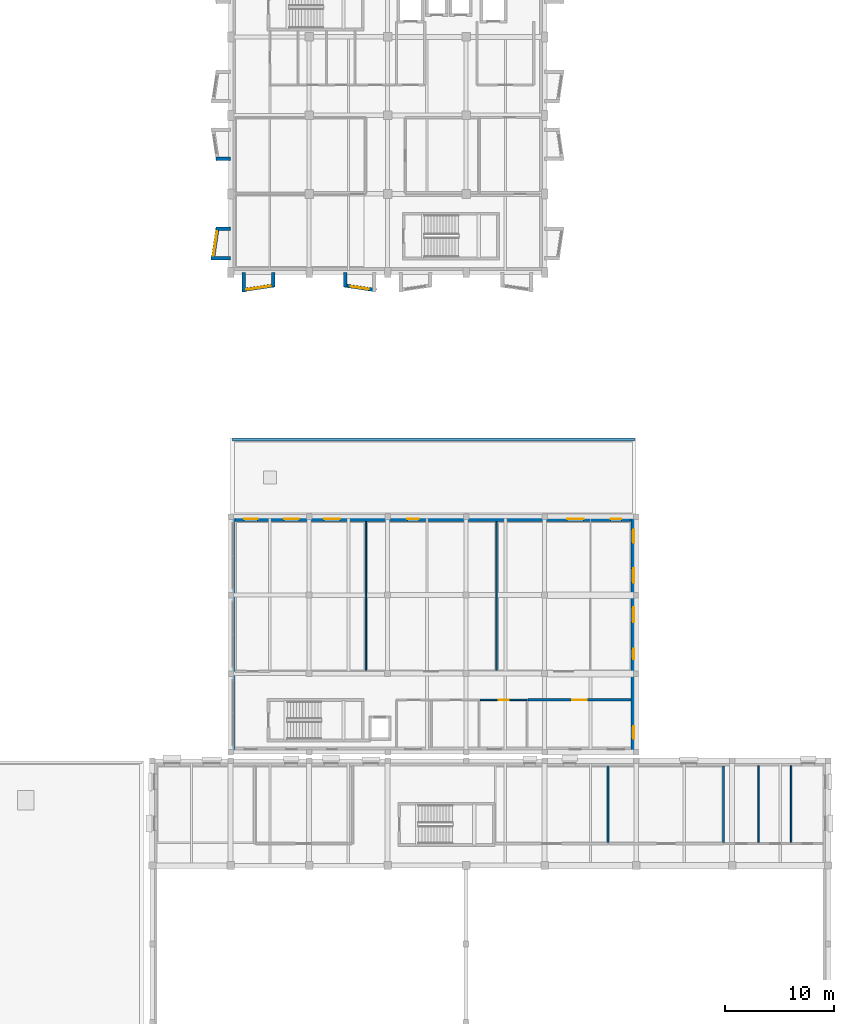
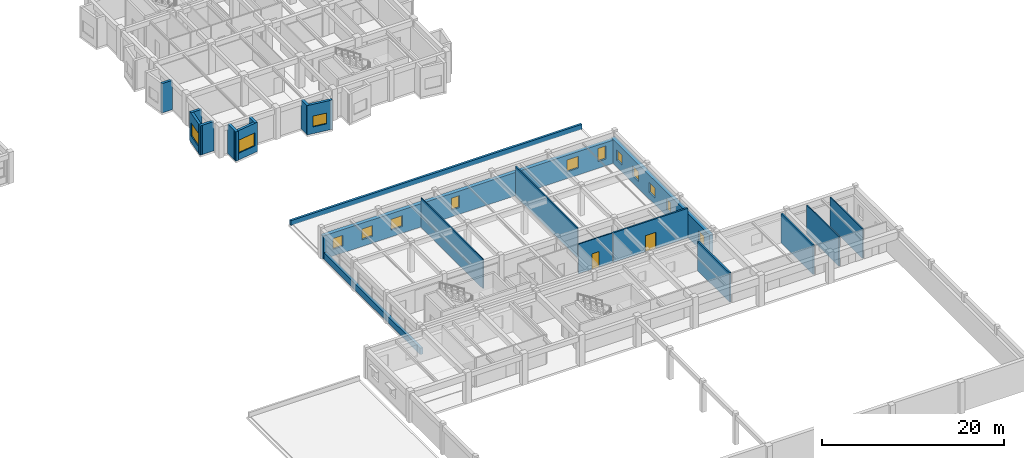
# One storey, part 54 of 67: 21 walls, 14 windows, 2 doors, 16 openings.
"""IFC4 building model written with IfcOpenShell, lengths in metres."""

from ifc_helpers import new_model, si_unit, direction, frame, frame_2d, origin, place, context, subcontext, project, spatial, rectangle, extrude, material, layer, layer_set, type_object, element, fill, save


model = new_model("IFC4")

# Units and contexts
model_context = context("Model", 3, precision=1e-05, world=origin(), true_north=direction((0.0, 1.0)))
body_context = subcontext(model_context, "Body", "Model", "MODEL_VIEW")
ifc_project = project(units=[si_unit("LENGTHUNIT", "METRE"), si_unit("AREAUNIT", "SQUARE_METRE"), si_unit("VOLUMEUNIT", "CUBIC_METRE"), si_unit("PLANEANGLEUNIT", "RADIAN"), si_unit("MASSUNIT", "GRAM", prefix="KILO")], contexts=[model_context])

# Site, building, storey
site_placement = place(None, origin())
site = spatial("IfcSite", under=ifc_project, at=site_placement, CompositionType="ELEMENT")
building_placement = place(site_placement, origin())
building = spatial("IfcBuilding", under=site, at=building_placement, Name="Bramveld Media Centre", CompositionType="ELEMENT")
storey_placement = place(building_placement, frame((0.0, 0.0, 5.39990234375)))
storey = spatial("IfcBuildingStorey", under=building, at=storey_placement, Name="L01", CompositionType="ELEMENT", Elevation=5.39990234375)

# Wall
ifc_material_1 = material(Name="Perforated acoustic brick-faced insulated spandrel wall", Category="masonry")
ifc_layer_1 = layer(ifc_material_1, 0.35009765625)
ifc_layer_set_1 = layer_set([ifc_layer_1], Name="Perforated acoustic brick-faced insulated spandrel wall")
wall_type_1 = type_object("IfcWallType", Name="EW-BRK-350", PredefinedType="SOLIDWALL", material=ifc_layer_set_1)
wall_1_placement = place(storey_placement, frame((131.429931640625, 39.199951171875, 0.0), z_axis=(0.0, 0.0, 1.0), x_axis=(0.0, 1.0, 0.0)))
element("IfcWall", 1, at=wall_1_placement, inside=storey, type_object=wall_type_1, Name="V4 L01 W masonry spandrel sill wall", PredefinedType="SOLIDWALL", context=body_context, shape_type="SweptSolid", body=[
    extrude(rectangle(XDim=21.60009765625, YDim=0.35009765625, at=frame_2d((10.800048828125, 0.0))), origin(), (0.0, 0.0, 1.0), 0.85009765625),
])

# Wall, openings, windows
ifc_material_2 = material(Name="Flemish red-brown clay facing brick cavity wall with concrete C35/45 inner leaf", Category="masonry")
ifc_layer_2 = layer(ifc_material_2, 0.4599609375)
ifc_layer_set_2 = layer_set([ifc_layer_2], Name="Flemish red-brown clay facing brick cavity wall with concrete C35/45 inner leaf")
wall_type_2 = type_object("IfcWallType", Name="EW-BRK-460", PredefinedType="SOLIDWALL", material=ifc_layer_set_2)
wall_2_placement = place(storey_placement, frame((168.169921875, 60.800048828125, 0.0), z_axis=(0.0, 0.0, 1.0), x_axis=(0.0, -1.0, 0.0)))
wall_2 = element("IfcWall", 2, at=wall_2_placement, inside=storey, type_object=wall_type_2, Name="V4 L01 E facing brick exterior wall", PredefinedType="SOLIDWALL", context=body_context, shape_type="SweptSolid", body=[
    extrude(rectangle(XDim=21.60009765625, YDim=0.4599609375, at=frame_2d((10.800048828125, 0.0))), origin(), (0.0, 0.0, 1.0), 3.215087890625),
])
opening_1_placement = place(wall_2_placement, frame((1.199951171875, 0.0, 0.89990234375)))
opening_1 = element("IfcOpeningElement", 3, at=opening_1_placement, cuts=wall_2, Name="Opening W-04", PredefinedType="OPENING", context=body_context, shape_type="SweptSolid", body=[
    extrude(rectangle(XDim=1.199951171875, YDim=1.35009765625, at=frame_2d((0.60009765625, 0.675048828125))), frame((0.0, 0.241943359375, 0.0), z_axis=(0.0, -1.0, 0.0), x_axis=(1.0, 0.0, 0.0)), (0.0, 0.0, 1.0), 0.48388671875),
])
opening_2_placement = place(wall_2_placement, frame((4.75, 0.0, 0.89990234375)))
opening_2 = element("IfcOpeningElement", 4, at=opening_2_placement, cuts=wall_2, Name="Opening W-05", PredefinedType="OPENING", context=body_context, shape_type="SweptSolid", body=[
    extrude(rectangle(XDim=1.300048828125, YDim=1.35009765625, at=frame_2d((0.64990234375, 0.675048828125))), frame((0.0, 0.241943359375, 0.0), z_axis=(0.0, -1.0, 0.0), x_axis=(1.0, 0.0, 0.0)), (0.0, 0.0, 1.0), 0.48388671875),
])
opening_3_placement = place(wall_2_placement, frame((8.300048828125, 0.0, 0.89990234375)))
opening_3 = element("IfcOpeningElement", 5, at=opening_3_placement, cuts=wall_2, Name="Opening W-06", PredefinedType="OPENING", context=body_context, shape_type="SweptSolid", body=[
    extrude(rectangle(XDim=1.39990234375, YDim=1.35009765625, at=frame_2d((0.699951171875, 0.675048828125))), frame((0.0, 0.241943359375, 0.0), z_axis=(0.0, -1.0, 0.0), x_axis=(1.0, 0.0, 0.0)), (0.0, 0.0, 1.0), 0.48388671875),
])
opening_4_placement = place(wall_2_placement, frame((12.125, 0.0, 0.89990234375)))
opening_4 = element("IfcOpeningElement", 6, at=opening_4_placement, cuts=wall_2, Name="Opening W-07", PredefinedType="OPENING", context=body_context, shape_type="SweptSolid", body=[
    extrude(rectangle(XDim=0.949951171875, YDim=1.449951171875, at=frame_2d((0.47509765625, 0.72509765625))), frame((0.0, 0.241943359375, 0.0), z_axis=(0.0, -1.0, 0.0), x_axis=(1.0, 0.0, 0.0)), (0.0, 0.0, 1.0), 0.48388671875),
])
opening_5_placement = place(wall_2_placement, frame((19.22509765625, 0.0, 0.89990234375)))
opening_5 = element("IfcOpeningElement", 7, at=opening_5_placement, cuts=wall_2, Name="Opening W-09", PredefinedType="OPENING", context=body_context, shape_type="SweptSolid", body=[
    extrude(rectangle(XDim=1.14990234375, YDim=1.449951171875, at=frame_2d((0.574951171875, 0.72509765625))), frame((0.0, 0.241943359375, 0.0), z_axis=(0.0, -1.0, 0.0), x_axis=(1.0, 0.0, 0.0)), (0.0, 0.0, 1.0), 0.48388671875),
])
ifc_material_3 = material(Name="Thermally broken anodized bronze aluminium frame with triple acoustic glazing", Category="aluminium")
window_type_1 = type_object("IfcWindowType", Name="WIN-FAC-04", PartitioningType="SINGLE_PANEL", PredefinedType="WINDOW", material=ifc_material_3)
window_1_placement = place(opening_1_placement, origin())
window_1 = element("IfcWindow", 8, at=window_1_placement, inside=storey, type_object=window_type_1, Name="V4 L01 E acoustic facade window", OverallHeight=1.35009765625, OverallWidth=1.199951171875, PartitioningType="SINGLE_PANEL", PredefinedType="WINDOW", context=body_context, shape_type="SweptSolid", body=[
    extrude(rectangle(XDim=1.199951171875, YDim=1.35009765625, at=frame_2d((0.60009765625, 0.675048828125))), frame((0.0, 0.030029296875, 0.0), z_axis=(0.0, -1.0, 0.0), x_axis=(1.0, 0.0, 0.0)), (0.0, 0.0, 1.0), 0.06005859375),
])
fill(opening_1, window_1)
ifc_material_4 = material(Name="Thermally broken anodized bronze aluminium frame with triple acoustic glazing", Category="aluminium")
window_type_2 = type_object("IfcWindowType", Name="WIN-FAC-05", PartitioningType="SINGLE_PANEL", PredefinedType="WINDOW", material=ifc_material_4)
window_2_placement = place(opening_2_placement, origin())
window_2 = element("IfcWindow", 9, at=window_2_placement, inside=storey, type_object=window_type_2, Name="V4 L01 E acoustic facade window", OverallHeight=1.35009765625, OverallWidth=1.300048828125, PartitioningType="SINGLE_PANEL", PredefinedType="WINDOW", context=body_context, shape_type="SweptSolid", body=[
    extrude(rectangle(XDim=1.300048828125, YDim=1.35009765625, at=frame_2d((0.64990234375, 0.675048828125))), frame((0.0, 0.030029296875, 0.0), z_axis=(0.0, -1.0, 0.0), x_axis=(1.0, 0.0, 0.0)), (0.0, 0.0, 1.0), 0.06005859375),
])
fill(opening_2, window_2)
ifc_material_5 = material(Name="Thermally broken anodized bronze aluminium frame with triple acoustic glazing", Category="aluminium")
window_type_3 = type_object("IfcWindowType", Name="WIN-FAC-06", PartitioningType="SINGLE_PANEL", PredefinedType="WINDOW", material=ifc_material_5)
window_3_placement = place(opening_3_placement, origin())
window_3 = element("IfcWindow", 10, at=window_3_placement, inside=storey, type_object=window_type_3, Name="V4 L01 E acoustic facade window", OverallHeight=1.35009765625, OverallWidth=1.39990234375, PartitioningType="SINGLE_PANEL", PredefinedType="WINDOW", context=body_context, shape_type="SweptSolid", body=[
    extrude(rectangle(XDim=1.39990234375, YDim=1.35009765625, at=frame_2d((0.699951171875, 0.675048828125))), frame((0.0, 0.030029296875, 0.0), z_axis=(0.0, -1.0, 0.0), x_axis=(1.0, 0.0, 0.0)), (0.0, 0.0, 1.0), 0.06005859375),
])
fill(opening_3, window_3)
ifc_material_6 = material(Name="Thermally broken anodized bronze aluminium frame with triple acoustic glazing", Category="aluminium")
window_type_4 = type_object("IfcWindowType", Name="WIN-FAC-07", PartitioningType="SINGLE_PANEL", PredefinedType="WINDOW", material=ifc_material_6)
window_4_placement = place(opening_4_placement, origin())
window_4 = element("IfcWindow", 11, at=window_4_placement, inside=storey, type_object=window_type_4, Name="V4 L01 E acoustic facade window", OverallHeight=1.449951171875, OverallWidth=0.949951171875, PartitioningType="SINGLE_PANEL", PredefinedType="WINDOW", context=body_context, shape_type="SweptSolid", body=[
    extrude(rectangle(XDim=0.949951171875, YDim=1.449951171875, at=frame_2d((0.47509765625, 0.72509765625))), frame((0.0, 0.030029296875, 0.0), z_axis=(0.0, -1.0, 0.0), x_axis=(1.0, 0.0, 0.0)), (0.0, 0.0, 1.0), 0.06005859375),
])
fill(opening_4, window_4)
ifc_material_7 = material(Name="Thermally broken anodized bronze aluminium frame with triple acoustic glazing", Category="aluminium")
window_type_5 = type_object("IfcWindowType", Name="WIN-FAC-09", PartitioningType="SINGLE_PANEL", PredefinedType="WINDOW", material=ifc_material_7)
window_5_placement = place(opening_5_placement, origin())
window_5 = element("IfcWindow", 12, at=window_5_placement, inside=storey, type_object=window_type_5, Name="V4 L01 E acoustic facade window", OverallHeight=1.449951171875, OverallWidth=1.14990234375, PartitioningType="SINGLE_PANEL", PredefinedType="WINDOW", context=body_context, shape_type="SweptSolid", body=[
    extrude(rectangle(XDim=1.14990234375, YDim=1.449951171875, at=frame_2d((0.574951171875, 0.72509765625))), frame((0.0, 0.030029296875, 0.0), z_axis=(0.0, -1.0, 0.0), x_axis=(1.0, 0.0, 0.0)), (0.0, 0.0, 1.0), 0.06005859375),
])
fill(opening_5, window_5)

wall_3_placement = place(storey_placement, frame((131.199951171875, 60.570068359375, 0.0), z_axis=(0.0, 0.0, 1.0), x_axis=(1.0, 0.0, 0.0)))
wall_3 = element("IfcWall", 13, at=wall_3_placement, inside=storey, type_object=wall_type_2, Name="V4 L01 N facing brick exterior wall", PredefinedType="SOLIDWALL", context=body_context, shape_type="SweptSolid", body=[
    extrude(rectangle(XDim=37.199951171875, YDim=0.4599609375, at=frame_2d((18.60009765625, 0.0))), origin(), (0.0, 0.0, 1.0), 3.114990234375),
])
opening_6_placement = place(wall_3_placement, frame((1.235107421875, 0.0, 0.89990234375)))
opening_6 = element("IfcOpeningElement", 14, at=opening_6_placement, cuts=wall_3, Name="Opening W-10", PredefinedType="OPENING", context=body_context, shape_type="SweptSolid", body=[
    extrude(rectangle(XDim=1.25, YDim=1.449951171875, at=frame_2d((0.625, 0.72509765625))), frame((0.0, 0.241943359375, 0.0), z_axis=(0.0, -1.0, 0.0), x_axis=(1.0, 0.0, 0.0)), (0.0, 0.0, 1.0), 0.48388671875),
])
opening_7_placement = place(wall_3_placement, frame((4.905029296875, 0.0, 0.89990234375)))
opening_7 = element("IfcOpeningElement", 15, at=opening_7_placement, cuts=wall_3, Name="Opening W-11", PredefinedType="OPENING", context=body_context, shape_type="SweptSolid", body=[
    extrude(rectangle(XDim=1.35009765625, YDim=1.449951171875, at=frame_2d((0.675048828125, 0.72509765625))), frame((0.0, 0.241943359375, 0.0), z_axis=(0.0, -1.0, 0.0), x_axis=(1.0, 0.0, 0.0)), (0.0, 0.0, 1.0), 0.48388671875),
])
opening_8_placement = place(wall_3_placement, frame((8.574951171875, 0.0, 0.89990234375)))
opening_8 = element("IfcOpeningElement", 16, at=opening_8_placement, cuts=wall_3, Name="Opening W-12", PredefinedType="OPENING", context=body_context, shape_type="SweptSolid", body=[
    extrude(rectangle(XDim=1.449951171875, YDim=1.449951171875, at=frame_2d((0.72509765625, 0.72509765625))), frame((0.0, 0.241943359375, 0.0), z_axis=(0.0, -1.0, 0.0), x_axis=(1.0, 0.0, 0.0)), (0.0, 0.0, 1.0), 0.48388671875),
])
opening_9_placement = place(wall_3_placement, frame((16.215087890625, 0.0, 0.89990234375)))
opening_9 = element("IfcOpeningElement", 17, at=opening_9_placement, cuts=wall_3, Name="Opening W-14", PredefinedType="OPENING", context=body_context, shape_type="SweptSolid", body=[
    extrude(rectangle(XDim=1.050048828125, YDim=1.60009765625, at=frame_2d((0.52490234375, 0.800048828125))), frame((0.0, 0.241943359375, 0.0), z_axis=(0.0, -1.0, 0.0), x_axis=(1.0, 0.0, 0.0)), (0.0, 0.0, 1.0), 0.48388671875),
])
opening_10_placement = place(wall_3_placement, frame((30.8701171875, 0.0, 0.89990234375)))
opening_10 = element("IfcOpeningElement", 18, at=opening_10_placement, cuts=wall_3, Name="Opening W-18", PredefinedType="OPENING", context=body_context, shape_type="SweptSolid", body=[
    extrude(rectangle(XDim=1.5, YDim=1.60009765625, at=frame_2d((0.75, 0.800048828125))), frame((0.0, 0.241943359375, 0.0), z_axis=(0.0, -1.0, 0.0), x_axis=(1.0, 0.0, 0.0)), (0.0, 0.0, 1.0), 0.48388671875),
])
opening_11_placement = place(wall_3_placement, frame((34.840087890625, 0.0, 0.89990234375)))
opening_11 = element("IfcOpeningElement", 19, at=opening_11_placement, cuts=wall_3, Name="Opening W-19", PredefinedType="OPENING", context=body_context, shape_type="SweptSolid", body=[
    extrude(rectangle(XDim=1.0, YDim=1.75, at=frame_2d((0.5, 0.875))), frame((0.0, 0.241943359375, 0.0), z_axis=(0.0, -1.0, 0.0), x_axis=(1.0, 0.0, 0.0)), (0.0, 0.0, 1.0), 0.48388671875),
])
ifc_material_8 = material(Name="Thermally broken anodized bronze aluminium frame with triple acoustic glazing", Category="aluminium")
window_type_6 = type_object("IfcWindowType", Name="WIN-FAC-10", PartitioningType="SINGLE_PANEL", PredefinedType="WINDOW", material=ifc_material_8)
window_6_placement = place(opening_6_placement, origin())
window_6 = element("IfcWindow", 20, at=window_6_placement, inside=storey, type_object=window_type_6, Name="V4 L01 N acoustic facade window", OverallHeight=1.449951171875, OverallWidth=1.25, PartitioningType="SINGLE_PANEL", PredefinedType="WINDOW", context=body_context, shape_type="SweptSolid", body=[
    extrude(rectangle(XDim=1.25, YDim=1.449951171875, at=frame_2d((0.625, 0.72509765625))), frame((0.0, 0.030029296875, 0.0), z_axis=(0.0, -1.0, 0.0), x_axis=(1.0, 0.0, 0.0)), (0.0, 0.0, 1.0), 0.06005859375),
])
fill(opening_6, window_6)
ifc_material_9 = material(Name="Thermally broken anodized bronze aluminium frame with triple acoustic glazing", Category="aluminium")
window_type_7 = type_object("IfcWindowType", Name="WIN-FAC-11", PartitioningType="SINGLE_PANEL", PredefinedType="WINDOW", material=ifc_material_9)
window_7_placement = place(opening_7_placement, origin())
window_7 = element("IfcWindow", 21, at=window_7_placement, inside=storey, type_object=window_type_7, Name="V4 L01 N acoustic facade window", OverallHeight=1.449951171875, OverallWidth=1.35009765625, PartitioningType="SINGLE_PANEL", PredefinedType="WINDOW", context=body_context, shape_type="SweptSolid", body=[
    extrude(rectangle(XDim=1.35009765625, YDim=1.449951171875, at=frame_2d((0.675048828125, 0.72509765625))), frame((0.0, 0.030029296875, 0.0), z_axis=(0.0, -1.0, 0.0), x_axis=(1.0, 0.0, 0.0)), (0.0, 0.0, 1.0), 0.06005859375),
])
fill(opening_7, window_7)
ifc_material_10 = material(Name="Thermally broken anodized bronze aluminium frame with triple acoustic glazing", Category="aluminium")
window_type_8 = type_object("IfcWindowType", Name="WIN-FAC-12", PartitioningType="SINGLE_PANEL", PredefinedType="WINDOW", material=ifc_material_10)
window_8_placement = place(opening_8_placement, origin())
window_8 = element("IfcWindow", 22, at=window_8_placement, inside=storey, type_object=window_type_8, Name="V4 L01 N acoustic facade window", OverallHeight=1.449951171875, OverallWidth=1.449951171875, PartitioningType="SINGLE_PANEL", PredefinedType="WINDOW", context=body_context, shape_type="SweptSolid", body=[
    extrude(rectangle(XDim=1.449951171875, YDim=1.449951171875, at=frame_2d((0.72509765625, 0.72509765625))), frame((0.0, 0.030029296875, 0.0), z_axis=(0.0, -1.0, 0.0), x_axis=(1.0, 0.0, 0.0)), (0.0, 0.0, 1.0), 0.06005859375),
])
fill(opening_8, window_8)
ifc_material_11 = material(Name="Thermally broken anodized bronze aluminium frame with triple acoustic glazing", Category="aluminium")
window_type_9 = type_object("IfcWindowType", Name="WIN-FAC-14", PartitioningType="SINGLE_PANEL", PredefinedType="WINDOW", material=ifc_material_11)
window_9_placement = place(opening_9_placement, origin())
window_9 = element("IfcWindow", 23, at=window_9_placement, inside=storey, type_object=window_type_9, Name="V4 L01 N acoustic facade window", OverallHeight=1.60009765625, OverallWidth=1.050048828125, PartitioningType="SINGLE_PANEL", PredefinedType="WINDOW", context=body_context, shape_type="SweptSolid", body=[
    extrude(rectangle(XDim=1.050048828125, YDim=1.60009765625, at=frame_2d((0.52490234375, 0.800048828125))), frame((0.0, 0.030029296875, 0.0), z_axis=(0.0, -1.0, 0.0), x_axis=(1.0, 0.0, 0.0)), (0.0, 0.0, 1.0), 0.06005859375),
])
fill(opening_9, window_9)
ifc_material_12 = material(Name="Thermally broken anodized bronze aluminium frame with triple acoustic glazing", Category="aluminium")
window_type_10 = type_object("IfcWindowType", Name="WIN-FAC-18", PartitioningType="SINGLE_PANEL", PredefinedType="WINDOW", material=ifc_material_12)
window_10_placement = place(opening_10_placement, origin())
window_10 = element("IfcWindow", 24, at=window_10_placement, inside=storey, type_object=window_type_10, Name="V4 L01 N acoustic facade window", OverallHeight=1.60009765625, OverallWidth=1.5, PartitioningType="SINGLE_PANEL", PredefinedType="WINDOW", context=body_context, shape_type="SweptSolid", body=[
    extrude(rectangle(XDim=1.5, YDim=1.60009765625, at=frame_2d((0.75, 0.800048828125))), frame((0.0, 0.030029296875, 0.0), z_axis=(0.0, -1.0, 0.0), x_axis=(1.0, 0.0, 0.0)), (0.0, 0.0, 1.0), 0.06005859375),
])
fill(opening_10, window_10)
ifc_material_13 = material(Name="Thermally broken anodized bronze aluminium frame with triple acoustic glazing", Category="aluminium")
window_type_11 = type_object("IfcWindowType", Name="WIN-FAC-19", PartitioningType="SINGLE_PANEL", PredefinedType="WINDOW", material=ifc_material_13)
window_11_placement = place(opening_11_placement, origin())
window_11 = element("IfcWindow", 25, at=window_11_placement, inside=storey, type_object=window_type_11, Name="V4 L01 N acoustic facade window", OverallHeight=1.75, OverallWidth=1.0, PartitioningType="SINGLE_PANEL", PredefinedType="WINDOW", context=body_context, shape_type="SweptSolid", body=[
    extrude(rectangle(XDim=1.0, YDim=1.75, at=frame_2d((0.5, 0.875))), frame((0.0, 0.030029296875, 0.0), z_axis=(0.0, -1.0, 0.0), x_axis=(1.0, 0.0, 0.0)), (0.0, 0.0, 1.0), 0.06005859375),
])
fill(opening_11, window_11)

# Wall, opening, window
ifc_material_14 = material(Name="Precast concrete C40/50 & brick-slip faceted bay cheek wall", Category="masonry")
ifc_layer_3 = layer(ifc_material_14, 0.320068359375)
ifc_layer_set_3 = layer_set([ifc_layer_3], Name="Precast concrete C40/50 & brick-slip faceted bay cheek wall")
wall_type_3 = type_object("IfcWallType", Name="EW-FACET-320", PredefinedType="SOLIDWALL", material=ifc_layer_set_3)
wall_4_placement = place(storey_placement, frame((132.25, 81.56689453125, 0.0), z_axis=(0.0, 0.0, 1.0), x_axis=(0.989266910268, 0.146119746268, 0.0)))
wall_4 = element("IfcWall", 26, at=wall_4_placement, inside=storey, type_object=wall_type_3, Name="V7 L01 S angled faceted bay front wall 1", PredefinedType="SOLIDWALL", context=body_context, shape_type="SweptSolid", body=[
    extrude(rectangle(XDim=3.032470703125, YDim=0.320068359375, at=frame_2d((1.51611328125, 0.0))), origin(), (0.0, 0.0, 1.0), 3.93017578125),
])
opening_12_placement = place(wall_4_placement, frame((0.391357421875, 0.0, 0.89990234375)))
opening_12 = element("IfcOpeningElement", 27, at=opening_12_placement, cuts=wall_4, Name="Opening W-36", PredefinedType="OPENING", context=body_context, shape_type="SweptSolid", body=[
    extrude(rectangle(XDim=2.25, YDim=1.75, at=frame_2d((1.125, 0.875))), frame((0.0, 0.171875, 0.0), z_axis=(0.0, -1.0, 0.0), x_axis=(1.0, 0.0, 0.0)), (0.0, 0.0, 1.0), 0.343994140625),
])
ifc_material_15 = material(Name="Thermally broken anodized bronze aluminium frame with triple acoustic glazing", Category="aluminium")
window_type_12 = type_object("IfcWindowType", Name="WIN-FAC-36", PartitioningType="SINGLE_PANEL", PredefinedType="WINDOW", material=ifc_material_15)
window_12_placement = place(opening_12_placement, origin())
window_12 = element("IfcWindow", 28, at=window_12_placement, inside=storey, type_object=window_type_12, Name="V7 L01 S faceted bay window 1", OverallHeight=1.75, OverallWidth=2.25, PartitioningType="SINGLE_PANEL", PredefinedType="WINDOW", context=body_context, shape_type="SweptSolid", body=[
    extrude(rectangle(XDim=2.25, YDim=1.75, at=frame_2d((1.125, 0.875))), frame((0.0, 0.030029296875, 0.0), z_axis=(0.0, -1.0, 0.0), x_axis=(1.0, 0.0, 0.0)), (0.0, 0.0, 1.0), 0.06005859375),
])
fill(opening_12, window_12)

# Walls
wall_5_placement = place(storey_placement, frame((132.409912109375, 83.199951171875, 0.0), z_axis=(0.0, 0.0, 1.0), x_axis=(0.0, -1.0, 0.0)))
element("IfcWall", 29, at=wall_5_placement, inside=storey, type_object=wall_type_3, Name="V7 L01 S faceted bay cheek wall", PredefinedType="SOLIDWALL", context=body_context, shape_type="SweptSolid", body=[
    extrude(rectangle(XDim=1.79296875, YDim=0.320068359375, at=frame_2d((0.896484375, 0.0))), origin(), (0.0, 0.0, 1.0), 3.93017578125),
])
wall_6_placement = place(storey_placement, frame((135.090087890625, 83.199951171875, 0.0), z_axis=(0.0, 0.0, 1.0), x_axis=(0.0, -1.0, 0.0)))
element("IfcWall", 30, at=wall_6_placement, inside=storey, type_object=wall_type_3, Name="V7 L01 S faceted bay cheek wall", PredefinedType="SOLIDWALL", context=body_context, shape_type="SweptSolid", body=[
    extrude(rectangle(XDim=1.349853515625, YDim=0.320068359375, at=frame_2d((0.6748046875, 0.0))), origin(), (0.0, 0.0, 1.0), 3.93017578125),
])

# Wall, opening, window
wall_7_placement = place(storey_placement, frame((141.550048828125, 82.010009765625, 0.0), z_axis=(0.0, 0.0, 1.0), x_axis=(0.989266910268, -0.146119746268, 0.0)))
wall_7 = element("IfcWall", 31, at=wall_7_placement, inside=storey, type_object=wall_type_3, Name="V7 L01 S angled faceted bay front wall 2", PredefinedType="SOLIDWALL", context=body_context, shape_type="SweptSolid", body=[
    extrude(rectangle(XDim=3.032470703125, YDim=0.320068359375, at=frame_2d((1.51611328125, 0.0))), origin(), (0.0, 0.0, 1.0), 3.93017578125),
])
opening_13_placement = place(wall_7_placement, frame((0.69140625, 0.0, 0.89990234375)))
opening_13 = element("IfcOpeningElement", 32, at=opening_13_placement, cuts=wall_7, Name="Opening W-25", PredefinedType="OPENING", context=body_context, shape_type="SweptSolid", body=[
    extrude(rectangle(XDim=1.64990234375, YDim=1.449951171875, at=frame_2d((0.824951171875, 0.72509765625))), frame((0.0, 0.171875, 0.0), z_axis=(0.0, -1.0, 0.0), x_axis=(1.0, 0.0, 0.0)), (0.0, 0.0, 1.0), 0.343994140625),
])
ifc_material_16 = material(Name="Thermally broken anodized bronze aluminium frame with triple acoustic glazing", Category="aluminium")
window_type_13 = type_object("IfcWindowType", Name="WIN-FAC-25", PartitioningType="SINGLE_PANEL", PredefinedType="WINDOW", material=ifc_material_16)
window_13_placement = place(opening_13_placement, origin())
window_13 = element("IfcWindow", 33, at=window_13_placement, inside=storey, type_object=window_type_13, Name="V7 L01 S faceted bay window 2", OverallHeight=1.449951171875, OverallWidth=1.64990234375, PartitioningType="SINGLE_PANEL", PredefinedType="WINDOW", context=body_context, shape_type="SweptSolid", body=[
    extrude(rectangle(XDim=1.64990234375, YDim=1.449951171875, at=frame_2d((0.824951171875, 0.72509765625))), frame((0.0, 0.030029296875, 0.0), z_axis=(0.0, -1.0, 0.0), x_axis=(1.0, 0.0, 0.0)), (0.0, 0.0, 1.0), 0.06005859375),
])
fill(opening_13, window_13)

# Wall
wall_8_placement = place(storey_placement, frame((141.7099609375, 83.199951171875, 0.0), z_axis=(0.0, 0.0, 1.0), x_axis=(0.0, -1.0, 0.0)))
element("IfcWall", 34, at=wall_8_placement, inside=storey, type_object=wall_type_3, Name="V7 L01 S faceted bay cheek wall", PredefinedType="SOLIDWALL", context=body_context, shape_type="SweptSolid", body=[
    extrude(rectangle(XDim=1.349853515625, YDim=0.320068359375, at=frame_2d((0.6748046875, 0.0))), origin(), (0.0, 0.0, 1.0), 3.93017578125),
])

# Wall, opening, window
wall_9_placement = place(storey_placement, frame((130.010009765625, 87.35009765625, 0.0), z_axis=(0.0, 0.0, 1.0), x_axis=(-0.146119746268, -0.989266910268, 0.0)))
wall_9 = element("IfcWall", 35, at=wall_9_placement, inside=storey, type_object=wall_type_3, Name="V7 L01 W angled faceted bay front wall 1", PredefinedType="SOLIDWALL", context=body_context, shape_type="SweptSolid", body=[
    extrude(rectangle(XDim=3.032470703125, YDim=0.320068359375, at=frame_2d((1.51611328125, 0.0))), origin(), (0.0, 0.0, 1.0), 3.93017578125),
])
opening_14_placement = place(wall_9_placement, frame((0.391357421875, 0.0, 0.89990234375)))
opening_14 = element("IfcOpeningElement", 36, at=opening_14_placement, cuts=wall_9, Name="Opening W-36", PredefinedType="OPENING", context=body_context, shape_type="SweptSolid", body=[
    extrude(rectangle(XDim=2.25, YDim=1.75, at=frame_2d((1.125, 0.875))), frame((0.0, 0.171875, 0.0), z_axis=(0.0, -1.0, 0.0), x_axis=(1.0, 0.0, 0.0)), (0.0, 0.0, 1.0), 0.343994140625),
])
window_14_placement = place(opening_14_placement, origin())
window_14 = element("IfcWindow", 37, at=window_14_placement, inside=storey, type_object=window_type_12, Name="V7 L01 W faceted bay window 1", OverallHeight=1.75, OverallWidth=2.25, PartitioningType="SINGLE_PANEL", PredefinedType="WINDOW", context=body_context, shape_type="SweptSolid", body=[
    extrude(rectangle(XDim=2.25, YDim=1.75, at=frame_2d((1.125, 0.875))), frame((0.0, 0.030029296875, 0.0), z_axis=(0.0, -1.0, 0.0), x_axis=(1.0, 0.0, 0.0)), (0.0, 0.0, 1.0), 0.06005859375),
])
fill(opening_14, window_14)

# Walls
wall_10_placement = place(storey_placement, frame((131.199951171875, 84.510009765625, 0.0), z_axis=(0.0, 0.0, 1.0), x_axis=(-1.0, 0.0, 0.0)))
element("IfcWall", 38, at=wall_10_placement, inside=storey, type_object=wall_type_3, Name="V7 L01 W faceted bay cheek wall", PredefinedType="SOLIDWALL", context=body_context, shape_type="SweptSolid", body=[
    extrude(rectangle(XDim=1.79296875, YDim=0.320068359375, at=frame_2d((0.896484375, 0.0))), origin(), (0.0, 0.0, 1.0), 3.93017578125),
])
for number, where, z_axis, x_axis, name in (
    (39, (131.199951171875, 87.18994140625, 0.0), (0.0, 0.0, 1.0), (-1.0, 0.0, 0.0), "V7 L01 W faceted bay cheek wall"),
    (40, (131.199951171875, 93.610107421875, 0.0), (0.0, 0.0, 1.0), (-1.0, 0.0, 0.0), "V7 L01 W faceted bay cheek wall"),
):
    element("IfcWall", number, at=place(storey_placement, frame(where, z_axis=z_axis, x_axis=x_axis)), inside=storey, type_object=wall_type_3, Name=name, PredefinedType="SOLIDWALL", context=body_context, shape_type="SweptSolid", body=[
        extrude(rectangle(XDim=1.349853515625, YDim=0.320068359375, at=frame_2d((0.6748046875, 0.0))), origin(), (0.0, 0.0, 1.0), 3.93017578125),
    ])
ifc_material_17 = material(Name="Acoustic calcium-silicate & mineral-wool compartment partition", Category="masonry")
ifc_layer_4 = layer(ifc_material_17, 0.199951171875)
ifc_layer_set_4 = layer_set([ifc_layer_4], Name="Acoustic calcium-silicate & mineral-wool compartment partition")
wall_type_4 = type_object("IfcWallType", Name="IW-ACOU-200", PredefinedType="PARTITIONING", material=ifc_layer_set_4)
for number, where, z_axis, x_axis, name in (
    (41, (165.800048828125, 30.909912109375, 0.0), (0.0, 0.0, 1.0), (0.0, 1.0, 0.0), "35mm & 70mm Archival Projection Booth 1 partition wall"),
    (42, (176.39990234375, 30.909912109375, 0.0), (0.0, 0.0, 1.0), (0.0, 1.0, 0.0), "Digital Laser Projection & Audio Rack Room partition wall"),
):
    element("IfcWall", number, at=place(storey_placement, frame(where, z_axis=z_axis, x_axis=x_axis)), inside=storey, type_object=wall_type_4, Name=name, PredefinedType="PARTITIONING", context=body_context, shape_type="SweptSolid", body=[
        extrude(rectangle(XDim=7.02001953125, YDim=0.199951171875, at=frame_2d((3.510009765625, 0.0))), origin(), (0.0, 0.0, 1.0), 3.940185546875),
    ])

# Wall, opening, door
wall_11_placement = place(storey_placement, frame((158.47998046875, 44.0, 0.0), z_axis=(0.0, 0.0, 1.0), x_axis=(1.0, 0.0, 0.0)))
wall_11 = element("IfcWall", 43, at=wall_11_placement, inside=storey, type_object=wall_type_4, Name="SAN Central Render Rack Room partition wall", PredefinedType="PARTITIONING", context=body_context, shape_type="SweptSolid", body=[
    extrude(rectangle(XDim=9.449951171875, YDim=0.199951171875, at=frame_2d((4.72509765625, 0.0))), origin(), (0.0, 0.0, 1.0), 3.960205078125),
])
opening_15_placement = place(wall_11_placement, frame((4.06494140625, 0.0, 0.0)))
opening_15 = element("IfcOpeningElement", 44, at=opening_15_placement, cuts=wall_11, Name="Opening D-01-074", PredefinedType="OPENING", context=body_context, shape_type="SweptSolid", body=[
    extrude(rectangle(XDim=1.320068359375, YDim=2.14990234375, at=frame_2d((0.66015625, 1.074951171875))), frame((0.0, 0.11181640625, 0.0), z_axis=(0.0, -1.0, 0.0), x_axis=(1.0, 0.0, 0.0)), (0.0, 0.0, 1.0), 0.223876953125),
])
ifc_material_18 = material(Name="Fire-rated acoustic timber & steel composite door", Category="steel")
door_type_1 = type_object("IfcDoorType", Name="DR-PLANT-1320", OperationType="NOTDEFINED", PredefinedType="DOOR", material=ifc_material_18)
door_1_placement = place(opening_15_placement, origin())
door_1 = element("IfcDoor", 45, at=door_1_placement, inside=storey, type_object=door_type_1, Name="SAN Central Render Rack Room entrance door", OperationType="SINGLE_SWING_LEFT", OverallHeight=2.14990234375, OverallWidth=1.320068359375, PredefinedType="DOOR", context=body_context, shape_type="SweptSolid", body=[
    extrude(rectangle(XDim=1.320068359375, YDim=2.14990234375, at=frame_2d((0.66015625, 1.074951171875))), frame((0.0, 0.02490234375, 0.0), z_axis=(0.0, -1.0, 0.0), x_axis=(1.0, 0.0, 0.0)), (0.0, 0.0, 1.0), 0.050048828125),
])
fill(opening_15, door_1)

# Walls
ifc_material_19 = material(Name="Lightweight acoustic stud partition", Category="gypsum")
ifc_layer_5 = layer(ifc_material_19, 0.125)
ifc_layer_set_5 = layer_set([ifc_layer_5], Name="Lightweight acoustic stud partition")
wall_type_5 = type_object("IfcWallType", Name="IW-PART-125", PredefinedType="PARTITIONING", material=ifc_layer_set_5)
wall_12_placement = place(storey_placement, frame((143.60009765625, 46.7099609375, 0.0), z_axis=(0.0, 0.0, 1.0), x_axis=(0.0, 1.0, 0.0)))
element("IfcWall", 46, at=wall_12_placement, inside=storey, type_object=wall_type_5, Name="DI Colour-Timing Theatre 1 partition wall", PredefinedType="PARTITIONING", context=body_context, shape_type="SweptSolid", body=[
    extrude(rectangle(XDim=13.6201171875, YDim=0.125, at=frame_2d((6.81005859375, 0.0))), origin(), (0.0, 0.0, 1.0), 3.960205078125),
])
ifc_material_20 = material(Name="Insulated metal-stud gypsum room partition", Category="gypsum")
ifc_layer_6 = layer(ifc_material_20, 0.14990234375)
ifc_layer_set_6 = layer_set([ifc_layer_6], Name="Insulated metal-stud gypsum room partition")
wall_type_6 = type_object("IfcWallType", Name="IW-PART-150", PredefinedType="PARTITIONING", material=ifc_layer_set_6)
wall_13_placement = place(storey_placement, frame((155.60009765625, 46.7099609375, 0.0), z_axis=(0.0, 0.0, 1.0), x_axis=(0.0, 1.0, 0.0)))
element("IfcWall", 47, at=wall_13_placement, inside=storey, type_object=wall_type_6, Name="DI Colour-Timing Studio 2 partition wall", PredefinedType="PARTITIONING", context=body_context, shape_type="SweptSolid", body=[
    extrude(rectangle(XDim=13.6201171875, YDim=0.14990234375, at=frame_2d((6.81005859375, 0.0))), origin(), (0.0, 0.0, 1.0), 3.960205078125),
])
ifc_material_21 = material(Name="Moisture-resistant cement-board sanitary partition", Category="gypsum")
ifc_layer_7 = layer(ifc_material_21, 0.139892578125)
ifc_layer_set_7 = layer_set([ifc_layer_7], Name="Moisture-resistant cement-board sanitary partition")
wall_type_7 = type_object("IfcWallType", Name="IW-WET-140", PredefinedType="PARTITIONING", material=ifc_layer_set_7)
for number, where, z_axis, x_axis, name in (
    (48, (179.60009765625, 30.8798828125, 0.0), (0.0, 0.0, 1.0), (0.0, 1.0, 0.0), "Accessible WC partition wall"),
    (49, (182.60009765625, 30.8798828125, 0.0), (0.0, 0.0, 1.0), (0.0, 1.0, 0.0), "Male WC partition wall"),
):
    element("IfcWall", number, at=place(storey_placement, frame(where, z_axis=z_axis, x_axis=x_axis)), inside=storey, type_object=wall_type_7, Name=name, PredefinedType="PARTITIONING", context=body_context, shape_type="SweptSolid", body=[
        extrude(rectangle(XDim=7.050048828125, YDim=0.139892578125, at=frame_2d((3.52490234375, 0.0))), origin(), (0.0, 0.0, 1.0), 3.940185546875),
    ])

# Wall, opening, door
wall_14_placement = place(storey_placement, frame((154.080078125, 44.0, 0.0), z_axis=(0.0, 0.0, 1.0), x_axis=(1.0, 0.0, 0.0)))
wall_14 = element("IfcWall", 50, at=wall_14_placement, inside=storey, type_object=wall_type_7, Name="Female WC partition wall", PredefinedType="PARTITIONING", context=body_context, shape_type="SweptSolid", body=[
    extrude(rectangle(XDim=4.31982421875, YDim=0.139892578125, at=frame_2d((2.159912109375, 0.0))), origin(), (0.0, 0.0, 1.0), 3.960205078125),
])
opening_16_placement = place(wall_14_placement, frame((1.705078125, 0.0, 0.0)))
opening_16 = element("IfcOpeningElement", 51, at=opening_16_placement, cuts=wall_14, Name="Opening D-01-073", PredefinedType="OPENING", context=body_context, shape_type="SweptSolid", body=[
    extrude(rectangle(XDim=0.909912109375, YDim=2.06005859375, at=frame_2d((0.455078125, 1.030029296875))), frame((0.0, 0.08203125, 0.0), z_axis=(0.0, -1.0, 0.0), x_axis=(1.0, 0.0, 0.0)), (0.0, 0.0, 1.0), 0.163818359375),
])
ifc_material_22 = material(Name="Solid-core European oak acoustic timber leaf in steel frame", Category="steel")
door_type_2 = type_object("IfcDoorType", Name="DR-WC-0910", OperationType="NOTDEFINED", PredefinedType="DOOR", material=ifc_material_22)
door_2_placement = place(opening_16_placement, origin())
door_2 = element("IfcDoor", 52, at=door_2_placement, inside=storey, type_object=door_type_2, Name="Female WC entrance door", OperationType="SINGLE_SWING_RIGHT", OverallHeight=2.06005859375, OverallWidth=0.909912109375, PredefinedType="DOOR", context=body_context, shape_type="SweptSolid", body=[
    extrude(rectangle(XDim=0.909912109375, YDim=2.06005859375, at=frame_2d((0.455078125, 1.030029296875))), frame((0.0, 0.02490234375, 0.0), z_axis=(0.0, -1.0, 0.0), x_axis=(1.0, 0.0, 0.0)), (0.0, 0.0, 1.0), 0.050048828125),
])
fill(opening_16, door_2)

# Wall
ifc_material_23 = material(Name="Flemish brick-faced parapet upstand with Concrete C35/45 core", Category="masonry")
ifc_layer_8 = layer(ifc_material_23, 0.280029296875)
ifc_layer_set_8 = layer_set([ifc_layer_8], Name="Flemish brick-faced parapet upstand with Concrete C35/45 core")
wall_type_8 = type_object("IfcWallType", Name="PARAPET-280", PredefinedType="PARAPET", material=ifc_layer_set_8)
wall_15_placement = place(storey_placement, frame((131.35009765625, 67.860107421875, 0.0), z_axis=(0.0, 0.0, 1.0), x_axis=(1.0, 0.0, 0.0)))
element("IfcWall", 53, at=wall_15_placement, inside=storey, type_object=wall_type_8, Name="V4 L01 roof parapet upstand", PredefinedType="PARAPET", context=body_context, shape_type="SweptSolid", body=[
    extrude(rectangle(XDim=36.89990234375, YDim=0.280029296875, at=frame_2d((18.449951171875, 0.0))), origin(), (0.0, 0.0, 1.0), 0.650146484375),
])

save(model, "model.ifc")
